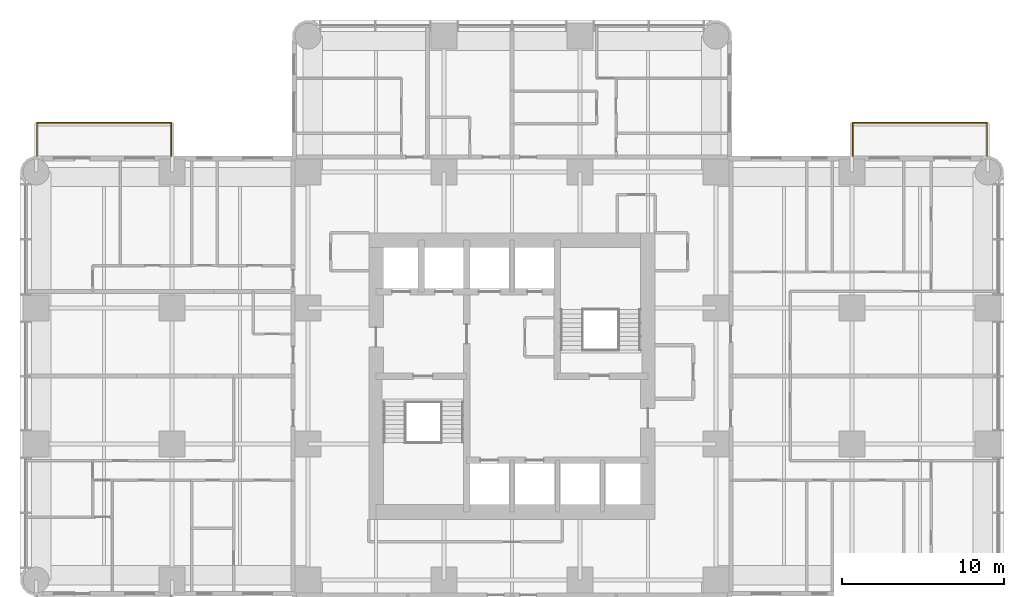
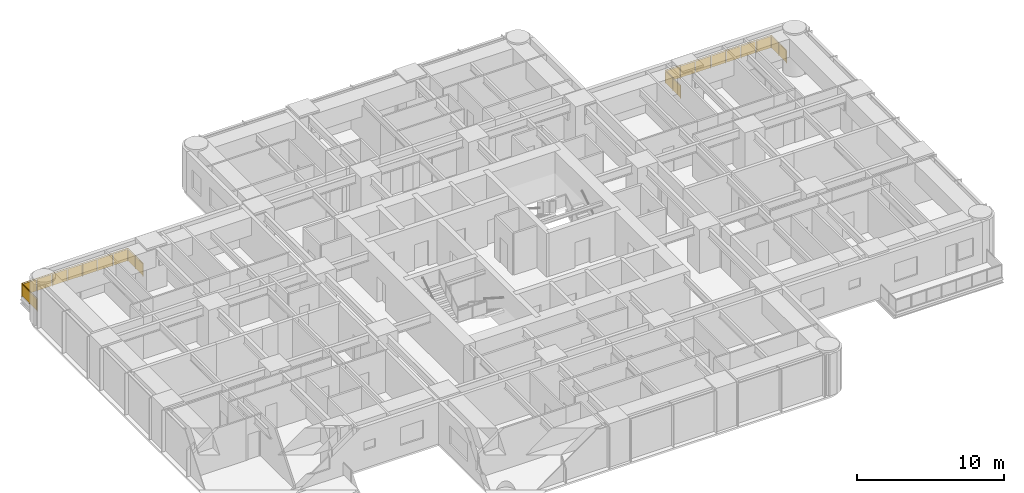
# One storey, part 14 of 14: 2 railings.
"""IFC4 building model written with IfcOpenShell, lengths in metres."""

from ifc_helpers import new_model, si_unit, direction, frame, origin, origin_2d, place, context, subcontext, project, spatial, polyline, circle, outline, extrude, material, constituent, constituent_set, type_object, element, save


model = new_model("IFC4")

# Units and contexts
model_context = context("Model", 3, precision=1e-05, world=origin(), true_north=direction((0.0, 1.0)))
body_context = subcontext(model_context, "Body", "Model", "MODEL_VIEW")
ifc_project = project(units=[si_unit("LENGTHUNIT", "METRE"), si_unit("AREAUNIT", "SQUARE_METRE"), si_unit("VOLUMEUNIT", "CUBIC_METRE"), si_unit("PLANEANGLEUNIT", "RADIAN"), si_unit("MASSUNIT", "GRAM", prefix="KILO")], contexts=[model_context])

# Site, building, storey
site_placement = place(None, origin())
site = spatial("IfcSite", under=ifc_project, at=site_placement, CompositionType="ELEMENT")
building_placement = place(site_placement, origin())
building = spatial("IfcBuilding", under=site, at=building_placement, Name="Torre Alcanfor", CompositionType="ELEMENT")
storey_placement = place(building_placement, frame((0.0, 0.0, 134.10009765625)))
storey = spatial("IfcBuildingStorey", under=building, at=storey_placement, Name="L34", CompositionType="ELEMENT", Elevation=134.10009765625)

# Railings
ifc_material_1 = material(Name="Laminated safety glass", Category="glass")
ifc_constituent_1 = constituent(ifc_material_1, Name="Infill")
ifc_material_2 = material(Name="Stainless steel ASTM A554 Grade MT 316L tube", Category="steel")
ifc_constituent_2 = constituent(ifc_material_2, Name="Posts and rail")
ifc_constituent_set = constituent_set(constituents=[ifc_constituent_1, ifc_constituent_2], Name="Balcony guard glass 1100")
railing_type = type_object("IfcRailingType", Name="Balcony guard glass 1100", PredefinedType="BALUSTRADE", material=ifc_constituent_set)
railing_1_placement = place(storey_placement, frame((50.449951171875, 43.0, 0.0)))
element("IfcRailing", 1, at=railing_1_placement, inside=storey, type_object=railing_type, Name="Balcony guard L34-E1", PredefinedType="BALUSTRADE", context=body_context, shape_type="SweptSolid", body=[
    extrude(circle(Radius=0.02392578125, at=origin_2d()), frame((0.0, 0.0, 1.076171875), z_axis=(0.0, 1.0, 0.0), x_axis=(-1.0, 0.0, 0.0)), (0.0, 0.0, 1.0), 2.050048828125),
    extrude(circle(Radius=0.02392578125, at=origin_2d()), frame((0.0, 2.050048828125, 1.076171875), z_axis=(1.0, 0.0, 0.0), x_axis=(0.0, 1.0, 0.0)), (0.0, 0.0, 1.0), 8.300048828125),
    extrude(circle(Radius=0.02392578125, at=origin_2d()), frame((8.300048828125, 2.050048828125, 1.076171875), z_axis=(0.0, -1.0, 0.0), x_axis=(1.0, 0.0, 0.0)), (0.0, 0.0, 1.0), 2.050048828125),
    extrude(circle(Radius=0.02099609375, at=origin_2d()), origin(), (0.0, 0.0, 1.0), 1.052001953125),
    extrude(circle(Radius=0.02099609375, at=origin_2d()), frame((0.0, 1.02490234375, 0.0)), (0.0, 0.0, 1.0), 1.052001953125),
    extrude(circle(Radius=0.02099609375, at=origin_2d()), frame((0.0, 2.050048828125, 0.0)), (0.0, 0.0, 1.0), 1.052001953125),
    extrude(circle(Radius=0.02099609375, at=origin_2d()), frame((1.185791015625, 2.050048828125, 0.0)), (0.0, 0.0, 1.0), 1.052001953125),
    extrude(circle(Radius=0.02099609375, at=origin_2d()), frame((2.371337890625, 2.050048828125, 0.0)), (0.0, 0.0, 1.0), 1.052001953125),
    extrude(circle(Radius=0.02099609375, at=origin_2d()), frame((3.55712890625, 2.050048828125, 0.0)), (0.0, 0.0, 1.0), 1.052001953125),
    extrude(circle(Radius=0.02099609375, at=origin_2d()), frame((4.742919921875, 2.050048828125, 0.0)), (0.0, 0.0, 1.0), 1.052001953125),
    extrude(circle(Radius=0.02099609375, at=origin_2d()), frame((5.9287109375, 2.050048828125, 0.0)), (0.0, 0.0, 1.0), 1.052001953125),
    extrude(circle(Radius=0.02099609375, at=origin_2d()), frame((7.1142578125, 2.050048828125, 0.0)), (0.0, 0.0, 1.0), 1.052001953125),
    extrude(circle(Radius=0.02099609375, at=origin_2d()), frame((8.300048828125, 2.050048828125, 0.0)), (0.0, 0.0, 1.0), 1.052001953125),
    extrude(circle(Radius=0.02099609375, at=origin_2d()), frame((8.300048828125, 1.02490234375, 0.0)), (0.0, 0.0, 1.0), 1.052001953125),
    extrude(circle(Radius=0.02099609375, at=origin_2d()), frame((8.300048828125, 0.0, 0.0)), (0.0, 0.0, 1.0), 1.052001953125),
    extrude(outline(polyline([(0.041015625, 0.050048828125), (0.984130859375, 0.050048828125), (0.984130859375, 1.001953125), (0.041015625, 1.001953125), (0.041015625, 0.050048828125)])), frame((-0.005859375, 0.0, 0.0), z_axis=(1.0, 0.0, 0.0), x_axis=(0.0, 1.0, 0.0)), (0.0, 0.0, 1.0), 0.011962890625),
    extrude(outline(polyline([(1.06591796875, 0.050048828125), (2.009033203125, 0.050048828125), (2.009033203125, 1.001953125), (1.06591796875, 1.001953125), (1.06591796875, 0.050048828125)])), frame((-0.005859375, 0.0, 0.0), z_axis=(1.0, 0.0, 0.0), x_axis=(0.0, 1.0, 0.0)), (0.0, 0.0, 1.0), 0.011962890625),
    extrude(outline(polyline([(0.041015625, 0.050048828125), (1.144775390625, 0.050048828125), (1.144775390625, 1.001953125), (0.041015625, 1.001953125), (0.041015625, 0.050048828125)])), frame((0.0, 2.05615234375, 0.0), z_axis=(0.0, -1.0, 0.0), x_axis=(1.0, 0.0, 0.0)), (0.0, 0.0, 1.0), 0.011962890625),
    extrude(outline(polyline([(1.226806640625, 0.050048828125), (2.330322265625, 0.050048828125), (2.330322265625, 1.001953125), (1.226806640625, 1.001953125), (1.226806640625, 0.050048828125)])), frame((0.0, 2.05615234375, 0.0), z_axis=(0.0, -1.0, 0.0), x_axis=(1.0, 0.0, 0.0)), (0.0, 0.0, 1.0), 0.011962890625),
    extrude(outline(polyline([(2.412353515625, 0.050048828125), (3.51611328125, 0.050048828125), (3.51611328125, 1.001953125), (2.412353515625, 1.001953125), (2.412353515625, 0.050048828125)])), frame((0.0, 2.05615234375, 0.0), z_axis=(0.0, -1.0, 0.0), x_axis=(1.0, 0.0, 0.0)), (0.0, 0.0, 1.0), 0.011962890625),
    extrude(outline(polyline([(3.59814453125, 0.050048828125), (4.701904296875, 0.050048828125), (4.701904296875, 1.001953125), (3.59814453125, 1.001953125), (3.59814453125, 0.050048828125)])), frame((0.0, 2.05615234375, 0.0), z_axis=(0.0, -1.0, 0.0), x_axis=(1.0, 0.0, 0.0)), (0.0, 0.0, 1.0), 0.011962890625),
    extrude(outline(polyline([(4.783935546875, 0.050048828125), (5.8876953125, 0.050048828125), (5.8876953125, 1.001953125), (4.783935546875, 1.001953125), (4.783935546875, 0.050048828125)])), frame((0.0, 2.05615234375, 0.0), z_axis=(0.0, -1.0, 0.0), x_axis=(1.0, 0.0, 0.0)), (0.0, 0.0, 1.0), 0.011962890625),
    extrude(outline(polyline([(5.9697265625, 0.050048828125), (7.0732421875, 0.050048828125), (7.0732421875, 1.001953125), (5.9697265625, 1.001953125), (5.9697265625, 0.050048828125)])), frame((0.0, 2.05615234375, 0.0), z_axis=(0.0, -1.0, 0.0), x_axis=(1.0, 0.0, 0.0)), (0.0, 0.0, 1.0), 0.011962890625),
    extrude(outline(polyline([(7.1552734375, 0.050048828125), (8.259033203125, 0.050048828125), (8.259033203125, 1.001953125), (7.1552734375, 1.001953125), (7.1552734375, 0.050048828125)])), frame((0.0, 2.05615234375, 0.0), z_axis=(0.0, -1.0, 0.0), x_axis=(1.0, 0.0, 0.0)), (0.0, 0.0, 1.0), 0.011962890625),
    extrude(outline(polyline([(0.041015625, 0.050048828125), (0.984130859375, 0.050048828125), (0.984130859375, 1.001953125), (0.041015625, 1.001953125), (0.041015625, 0.050048828125)])), frame((8.30615234375, 2.050048828125, 0.0), z_axis=(-1.0, 0.0, 0.0), x_axis=(0.0, -1.0, 0.0)), (0.0, 0.0, 1.0), 0.011962890625),
    extrude(outline(polyline([(1.06591796875, 0.050048828125), (2.009033203125, 0.050048828125), (2.009033203125, 1.001953125), (1.06591796875, 1.001953125), (1.06591796875, 0.050048828125)])), frame((8.30615234375, 2.050048828125, 0.0), z_axis=(-1.0, 0.0, 0.0), x_axis=(0.0, -1.0, 0.0)), (0.0, 0.0, 1.0), 0.011962890625),
])
railing_2_placement = place(storey_placement, frame((8.35009765625, 43.0, 0.0)))
element("IfcRailing", 2, at=railing_2_placement, inside=storey, type_object=railing_type, Name="Balcony guard L34-W2", PredefinedType="BALUSTRADE", context=body_context, shape_type="SweptSolid", body=[
    extrude(circle(Radius=0.02392578125, at=origin_2d()), frame((0.0, 0.0, 1.076171875), z_axis=(0.0, 1.0, 0.0), x_axis=(-1.0, 0.0, 0.0)), (0.0, 0.0, 1.0), 2.050048828125),
    extrude(circle(Radius=0.02392578125, at=origin_2d()), frame((0.0, 2.050048828125, 1.076171875), z_axis=(-1.0, 0.0, 0.0), x_axis=(0.0, -1.0, 0.0)), (0.0, 0.0, 1.0), 8.300048828125),
    extrude(circle(Radius=0.02392578125, at=origin_2d()), frame((-8.300048828125, 2.050048828125, 1.076171875), z_axis=(0.0, -1.0, 0.0), x_axis=(1.0, 0.0, 0.0)), (0.0, 0.0, 1.0), 2.050048828125),
    extrude(circle(Radius=0.02099609375, at=origin_2d()), origin(), (0.0, 0.0, 1.0), 1.052001953125),
    extrude(circle(Radius=0.02099609375, at=origin_2d()), frame((0.0, 1.02490234375, 0.0)), (0.0, 0.0, 1.0), 1.052001953125),
    extrude(circle(Radius=0.02099609375, at=origin_2d()), frame((0.0, 2.050048828125, 0.0)), (0.0, 0.0, 1.0), 1.052001953125),
    extrude(circle(Radius=0.02099609375, at=origin_2d()), frame((-1.185791015625, 2.050048828125, 0.0)), (0.0, 0.0, 1.0), 1.052001953125),
    extrude(circle(Radius=0.02099609375, at=origin_2d()), frame((-2.371337890625, 2.050048828125, 0.0)), (0.0, 0.0, 1.0), 1.052001953125),
    extrude(circle(Radius=0.02099609375, at=origin_2d()), frame((-3.55712890625, 2.050048828125, 0.0)), (0.0, 0.0, 1.0), 1.052001953125),
    extrude(circle(Radius=0.02099609375, at=origin_2d()), frame((-4.742919921875, 2.050048828125, 0.0)), (0.0, 0.0, 1.0), 1.052001953125),
    extrude(circle(Radius=0.02099609375, at=origin_2d()), frame((-5.9287109375, 2.050048828125, 0.0)), (0.0, 0.0, 1.0), 1.052001953125),
    extrude(circle(Radius=0.02099609375, at=origin_2d()), frame((-7.1142578125, 2.050048828125, 0.0)), (0.0, 0.0, 1.0), 1.052001953125),
    extrude(circle(Radius=0.02099609375, at=origin_2d()), frame((-8.300048828125, 2.050048828125, 0.0)), (0.0, 0.0, 1.0), 1.052001953125),
    extrude(circle(Radius=0.02099609375, at=origin_2d()), frame((-8.300048828125, 1.02490234375, 0.0)), (0.0, 0.0, 1.0), 1.052001953125),
    extrude(circle(Radius=0.02099609375, at=origin_2d()), frame((-8.300048828125, 0.0, 0.0)), (0.0, 0.0, 1.0), 1.052001953125),
    extrude(outline(polyline([(0.041015625, 0.050048828125), (0.984130859375, 0.050048828125), (0.984130859375, 1.001953125), (0.041015625, 1.001953125), (0.041015625, 0.050048828125)])), frame((-0.005859375, 0.0, 0.0), z_axis=(1.0, 0.0, 0.0), x_axis=(0.0, 1.0, 0.0)), (0.0, 0.0, 1.0), 0.011962890625),
    extrude(outline(polyline([(1.06591796875, 0.050048828125), (2.009033203125, 0.050048828125), (2.009033203125, 1.001953125), (1.06591796875, 1.001953125), (1.06591796875, 0.050048828125)])), frame((-0.005859375, 0.0, 0.0), z_axis=(1.0, 0.0, 0.0), x_axis=(0.0, 1.0, 0.0)), (0.0, 0.0, 1.0), 0.011962890625),
    extrude(outline(polyline([(0.041015625, 0.050048828125), (1.144775390625, 0.050048828125), (1.144775390625, 1.001953125), (0.041015625, 1.001953125), (0.041015625, 0.050048828125)])), frame((0.0, 2.0439453125, 0.0), z_axis=(0.0, 1.0, 0.0), x_axis=(-1.0, 0.0, 0.0)), (0.0, 0.0, 1.0), 0.011962890625),
    extrude(outline(polyline([(1.226806640625, 0.050048828125), (2.330322265625, 0.050048828125), (2.330322265625, 1.001953125), (1.226806640625, 1.001953125), (1.226806640625, 0.050048828125)])), frame((0.0, 2.0439453125, 0.0), z_axis=(0.0, 1.0, 0.0), x_axis=(-1.0, 0.0, 0.0)), (0.0, 0.0, 1.0), 0.011962890625),
    extrude(outline(polyline([(2.412353515625, 0.050048828125), (3.51611328125, 0.050048828125), (3.51611328125, 1.001953125), (2.412353515625, 1.001953125), (2.412353515625, 0.050048828125)])), frame((0.0, 2.0439453125, 0.0), z_axis=(0.0, 1.0, 0.0), x_axis=(-1.0, 0.0, 0.0)), (0.0, 0.0, 1.0), 0.011962890625),
    extrude(outline(polyline([(3.59814453125, 0.050048828125), (4.701904296875, 0.050048828125), (4.701904296875, 1.001953125), (3.59814453125, 1.001953125), (3.59814453125, 0.050048828125)])), frame((0.0, 2.0439453125, 0.0), z_axis=(0.0, 1.0, 0.0), x_axis=(-1.0, 0.0, 0.0)), (0.0, 0.0, 1.0), 0.011962890625),
    extrude(outline(polyline([(4.783935546875, 0.050048828125), (5.8876953125, 0.050048828125), (5.8876953125, 1.001953125), (4.783935546875, 1.001953125), (4.783935546875, 0.050048828125)])), frame((0.0, 2.0439453125, 0.0), z_axis=(0.0, 1.0, 0.0), x_axis=(-1.0, 0.0, 0.0)), (0.0, 0.0, 1.0), 0.011962890625),
    extrude(outline(polyline([(5.9697265625, 0.050048828125), (7.0732421875, 0.050048828125), (7.0732421875, 1.001953125), (5.9697265625, 1.001953125), (5.9697265625, 0.050048828125)])), frame((0.0, 2.0439453125, 0.0), z_axis=(0.0, 1.0, 0.0), x_axis=(-1.0, 0.0, 0.0)), (0.0, 0.0, 1.0), 0.011962890625),
    extrude(outline(polyline([(7.1552734375, 0.050048828125), (8.259033203125, 0.050048828125), (8.259033203125, 1.001953125), (7.1552734375, 1.001953125), (7.1552734375, 0.050048828125)])), frame((0.0, 2.0439453125, 0.0), z_axis=(0.0, 1.0, 0.0), x_axis=(-1.0, 0.0, 0.0)), (0.0, 0.0, 1.0), 0.011962890625),
    extrude(outline(polyline([(0.041015625, 0.050048828125), (0.984130859375, 0.050048828125), (0.984130859375, 1.001953125), (0.041015625, 1.001953125), (0.041015625, 0.050048828125)])), frame((-8.2939453125, 2.050048828125, 0.0), z_axis=(-1.0, 0.0, 0.0), x_axis=(0.0, -1.0, 0.0)), (0.0, 0.0, 1.0), 0.011962890625),
    extrude(outline(polyline([(1.06591796875, 0.050048828125), (2.009033203125, 0.050048828125), (2.009033203125, 1.001953125), (1.06591796875, 1.001953125), (1.06591796875, 0.050048828125)])), frame((-8.2939453125, 2.050048828125, 0.0), z_axis=(-1.0, 0.0, 0.0), x_axis=(0.0, -1.0, 0.0)), (0.0, 0.0, 1.0), 0.011962890625),
])

save(model, "model.ifc")
